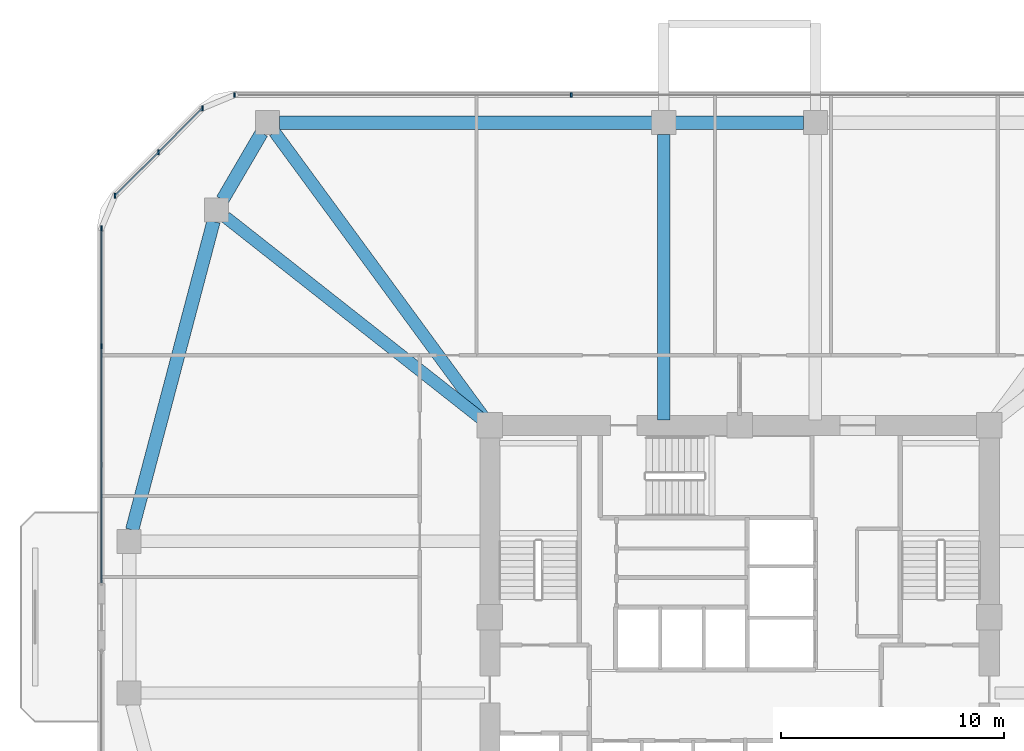
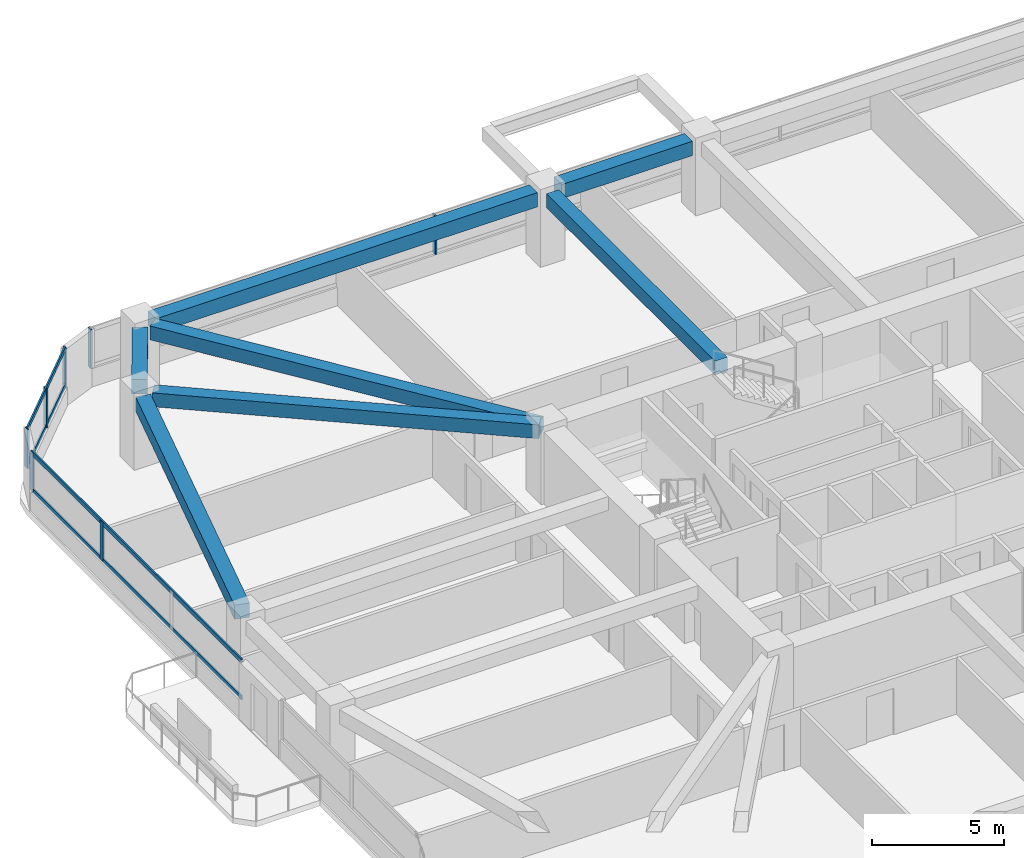
# One storey, part 6 of 15: 11 members, 7 beams, 3 elements without a shape of their own.
"""IFC4 building model written with IfcOpenShell, lengths in metres."""

from ifc_helpers import new_model, si_unit, derived_unit, direction, frame, origin, origin_2d, place, context, subcontext, project, spatial, rectangle, extrude, material, material_profile, profile_set, type_object, element, aggregate, save


model = new_model("IFC4")

# Units and contexts
model_context = context("Model", 3, precision=1e-05, world=origin(), true_north=direction((0.0, 1.0)))
body_context = subcontext(model_context, "Body", "Model", "MODEL_VIEW")
ifc_project = project(units=[si_unit("LENGTHUNIT", "METRE"), si_unit("AREAUNIT", "SQUARE_METRE"), si_unit("VOLUMEUNIT", "CUBIC_METRE"), si_unit("PLANEANGLEUNIT", "RADIAN"), si_unit("MASSUNIT", "GRAM", prefix="KILO"), derived_unit("THERMALTRANSMITTANCEUNIT", [(si_unit("POWERUNIT", "WATT"), 1), (si_unit("LENGTHUNIT", "METRE"), -2), (si_unit("THERMODYNAMICTEMPERATUREUNIT", "KELVIN"), -1)])], contexts=[model_context])

# Site, building, storey
site_placement = place(None, origin())
site = spatial("IfcSite", under=ifc_project, at=site_placement, CompositionType="ELEMENT")
building_placement = place(site_placement, origin())
building = spatial("IfcBuilding", under=site, at=building_placement, Name="Koralith Skygarden Medical Center", CompositionType="ELEMENT")
storey_placement = place(building_placement, frame((0.0, 0.0, 41.93994140625)))
storey = spatial("IfcBuildingStorey", under=building, at=storey_placement, Name="L10", CompositionType="ELEMENT", Elevation=41.93994140625)

# Curtain wall, members
ifc_material_1 = material(Name="Clear Laminated Glass", Category="glass")
curtain_wall_type = type_object("IfcCurtainWallType", Name="CW-2 Zone 1 Hurricane Unitised Curtain Wall", PredefinedType="NOTDEFINED", material=ifc_material_1)
curtain_wall_1_placement = place(storey_placement, origin())
curtain_wall_1 = element("IfcCurtainWall", 1, at=curtain_wall_1_placement, inside=storey, type_object=curtain_wall_type, Name="Curtain Wall CW-L10-N", PredefinedType="NOTDEFINED")
ifc_material_2 = material(Name="Aluminium 6063-T6", Category="aluminium")
ifc_material_profile_1 = material_profile(ifc_material_2, rectangle(XDim=0.071044921875, YDim=0.219970703125, at=origin_2d()), Name="MUL71X220")
ifc_profile_set_1 = profile_set([ifc_material_profile_1], Name="Aluminium 6063-T6")
member_type_1 = type_object("IfcMemberType", Name="CW-2 Extruded Mullion 71x220", PredefinedType="MULLION", material=ifc_profile_set_1)
member_1_placement = place(storey_placement, frame((29.451904296875, 49.320068359375, 0.85009765625), z_axis=(0.0, 0.0, 1.0), x_axis=(1.0, 0.0, 0.0)))
member_1 = element("IfcMember", 2, at=member_1_placement, type_object=member_type_1, Name="CW-L10-N Mullion 3", PredefinedType="MULLION", context=body_context, shape_type="SweptSolid", body=[
    extrude(rectangle(XDim=0.071044921875, YDim=0.219970703125, at=origin_2d()), origin(), (0.0, 0.0, 1.0), 1.800048828125),
])
member_2_placement = place(storey_placement, frame((14.35498046875, 49.320068359375, 0.85009765625), z_axis=(0.0, 0.0, 1.0), x_axis=(1.0, 0.0, 0.0)))
member_2 = element("IfcMember", 3, at=member_2_placement, type_object=member_type_1, Name="CW-L10-N Mullion 4", PredefinedType="MULLION", context=body_context, shape_type="SweptSolid", body=[
    extrude(rectangle(XDim=0.071044921875, YDim=0.219970703125, at=origin_2d()), origin(), (0.0, 0.0, 1.0), 1.800048828125),
])
aggregate(curtain_wall_1, [member_1, member_2])

curtain_wall_2_placement = place(storey_placement, origin())
curtain_wall_2 = element("IfcCurtainWall", 4, at=curtain_wall_2_placement, inside=storey, type_object=curtain_wall_type, Name="Curtain Wall CW-L10-NW", PredefinedType="NOTDEFINED")
member_3_placement = place(storey_placement, frame((12.904052734375, 48.718994140625, 0.85009765625), z_axis=(0.0, 0.0, 1.0), x_axis=(1.0, 0.0, 0.0)))
member_3 = element("IfcMember", 5, at=member_3_placement, type_object=member_type_1, Name="CW-L10-NW Mullion 1", PredefinedType="MULLION", context=body_context, shape_type="SweptSolid", body=[
    extrude(rectangle(XDim=0.071044921875, YDim=0.219970703125, at=origin_2d()), origin(), (0.0, 0.0, 1.0), 1.800048828125),
])
member_4_placement = place(storey_placement, frame((10.94189453125, 46.758056640625, 0.85009765625), z_axis=(0.0, 0.0, 1.0), x_axis=(1.0, 0.0, 0.0)))
member_4 = element("IfcMember", 6, at=member_4_placement, type_object=member_type_1, Name="CW-L10-NW Mullion 2", PredefinedType="MULLION", context=body_context, shape_type="SweptSolid", body=[
    extrude(rectangle(XDim=0.071044921875, YDim=0.219970703125, at=origin_2d()), origin(), (0.0, 0.0, 1.0), 1.800048828125),
])
member_5_placement = place(storey_placement, frame((8.98095703125, 44.7958984375, 0.85009765625), z_axis=(0.0, 0.0, 1.0), x_axis=(1.0, 0.0, 0.0)))
member_5 = element("IfcMember", 7, at=member_5_placement, type_object=member_type_1, Name="CW-L10-NW Mullion 3", PredefinedType="MULLION", context=body_context, shape_type="SweptSolid", body=[
    extrude(rectangle(XDim=0.071044921875, YDim=0.219970703125, at=origin_2d()), origin(), (0.0, 0.0, 1.0), 1.800048828125),
])

curtain_wall_3_placement = place(storey_placement, origin())
curtain_wall_3 = element("IfcCurtainWall", 8, at=curtain_wall_3_placement, inside=storey, type_object=curtain_wall_type, Name="Curtain Wall CW-L10-W-L", PredefinedType="NOTDEFINED")
member_6_placement = place(storey_placement, frame((8.3798828125, 43.344970703125, 0.85009765625), z_axis=(0.0, 0.0, 1.0), x_axis=(1.0, 0.0, 0.0)))
member_6 = element("IfcMember", 9, at=member_6_placement, type_object=member_type_1, Name="CW-L10-W-L Mullion 1", PredefinedType="MULLION", context=body_context, shape_type="SweptSolid", body=[
    extrude(rectangle(XDim=0.071044921875, YDim=0.219970703125, at=origin_2d()), origin(), (0.0, 0.0, 1.0), 1.800048828125),
])
member_7_placement = place(storey_placement, frame((8.3798828125, 38.04296875, 0.85009765625), z_axis=(0.0, 0.0, 1.0), x_axis=(1.0, 0.0, 0.0)))
member_7 = element("IfcMember", 10, at=member_7_placement, type_object=member_type_1, Name="CW-L10-W-L Mullion 2", PredefinedType="MULLION", context=body_context, shape_type="SweptSolid", body=[
    extrude(rectangle(XDim=0.071044921875, YDim=0.219970703125, at=origin_2d()), origin(), (0.0, 0.0, 1.0), 1.800048828125),
])

# Member
ifc_material_profile_2 = material_profile(ifc_material_2, rectangle(XDim=0.06591796875, YDim=0.197998046875, at=origin_2d()), Name="TRN66X198")
ifc_profile_set_2 = profile_set([ifc_material_profile_2], Name="Aluminium 6063-T6")
member_type_2 = type_object("IfcMemberType", Name="CW-2 Thermal Transom 66x198", PredefinedType="USERDEFINED", material=ifc_profile_set_2)
member_8_placement = place(storey_placement, frame((12.904052734375, 48.718994140625, 0.900146484375), z_axis=(-0.707106781187, -0.707106781187, 0.0), x_axis=(0.707106781187, -0.707106781187, 0.0)))
member_8 = element("IfcMember", 11, at=member_8_placement, type_object=member_type_2, Name="CW-L10-NW Transom 1", ObjectType="TRANSOM", PredefinedType="USERDEFINED", context=body_context, shape_type="SweptSolid", body=[
    extrude(rectangle(XDim=0.06591796875, YDim=0.197998046875, at=origin_2d()), origin(), (0.0, 0.0, 1.0), 5.548095703125),
])

member_9_placement = place(storey_placement, frame((12.904052734375, 48.718994140625, 2.60009765625), z_axis=(-0.707106781187, -0.707106781187, 0.0), x_axis=(0.707106781187, -0.707106781187, 0.0)))
member_9 = element("IfcMember", 12, at=member_9_placement, type_object=member_type_2, Name="CW-L10-NW Transom 2", ObjectType="TRANSOM", PredefinedType="USERDEFINED", context=body_context, shape_type="SweptSolid", body=[
    extrude(rectangle(XDim=0.06591796875, YDim=0.197998046875, at=origin_2d()), origin(), (0.0, 0.0, 1.0), 5.548095703125),
])

aggregate(curtain_wall_2, [member_3, member_4, member_5, member_8, member_9])

member_10_placement = place(storey_placement, frame((8.3798828125, 43.344970703125, 0.900146484375), z_axis=(0.0, -1.0, 0.0), x_axis=(1.0, 0.0, 0.0)))
member_10 = element("IfcMember", 13, at=member_10_placement, type_object=member_type_2, Name="CW-L10-W-L Transom 1", ObjectType="TRANSOM", PredefinedType="USERDEFINED", context=body_context, shape_type="SweptSolid", body=[
    extrude(rectangle(XDim=0.06591796875, YDim=0.197998046875, at=origin_2d()), origin(), (0.0, 0.0, 1.0), 15.905029296875),
])

member_11_placement = place(storey_placement, frame((8.3798828125, 43.344970703125, 2.60009765625), z_axis=(0.0, -1.0, 0.0), x_axis=(1.0, 0.0, 0.0)))
member_11 = element("IfcMember", 14, at=member_11_placement, type_object=member_type_2, Name="CW-L10-W-L Transom 2", ObjectType="TRANSOM", PredefinedType="USERDEFINED", context=body_context, shape_type="SweptSolid", body=[
    extrude(rectangle(XDim=0.06591796875, YDim=0.197998046875, at=origin_2d()), origin(), (0.0, 0.0, 1.0), 15.905029296875),
])

aggregate(curtain_wall_3, [member_6, member_7, member_10, member_11])

# Beams
ifc_material_3 = material(Name="Concrete C45/55", Category="concrete")
ifc_material_profile_3 = material_profile(ifc_material_3, rectangle(XDim=0.550048828125, YDim=0.639892578125, at=origin_2d()), Name="RCB550X640")
ifc_profile_set_3 = profile_set([ifc_material_profile_3], Name="Concrete C45/55")
beam_type_1 = type_object("IfcBeamType", Name="Radial Collector Beam RCB550X640", PredefinedType="BEAM", material=ifc_profile_set_3)
beam_1_placement = place(storey_placement, frame((33.60009765625, 34.75, 3.0), z_axis=(0.0, 1.0, 0.0), x_axis=(-1.0, 0.0, 0.0)))
element("IfcBeam", 15, at=beam_1_placement, inside=storey, type_object=beam_type_1, Name="L10 Radial Collector Beam RB-13", PredefinedType="BEAM", context=body_context, shape_type="SweptSolid", body=[
    extrude(rectangle(XDim=0.550048828125, YDim=0.639892578125, at=origin_2d()), origin(), (0.0, 0.0, 1.0), 12.800048828125),
])
beam_2_placement = place(storey_placement, frame((25.652099609375, 34.701904296875, 3.0), z_axis=(-0.591710803277, 0.806150311843, 0.0), x_axis=(-0.806150311843, -0.591710803277, 0.0)))
element("IfcBeam", 16, at=beam_2_placement, inside=storey, type_object=beam_type_1, Name="L10 Radial Collector Beam RB-14", PredefinedType="BEAM", context=body_context, shape_type="SweptSolid", body=[
    extrude(rectangle(XDim=0.550048828125, YDim=0.639892578125, at=origin_2d()), origin(), (0.0, 0.0, 1.0), 16.0654296875),
])
beam_3_placement = place(storey_placement, frame((25.60400390625, 34.655029296875, 3.0), z_axis=(-0.785497250365, 0.618865146594, 0.0), x_axis=(-0.618865146594, -0.785497250365, 0.0)))
element("IfcBeam", 17, at=beam_3_placement, inside=storey, type_object=beam_type_1, Name="L10 Radial Collector Beam RB-15", PredefinedType="BEAM", context=body_context, shape_type="SweptSolid", body=[
    extrude(rectangle(XDim=0.550048828125, YDim=0.639892578125, at=origin_2d()), origin(), (0.0, 0.0, 1.0), 14.828857421875),
])
ifc_material_profile_4 = material_profile(ifc_material_3, rectangle(XDim=0.60009765625, YDim=0.659912109375, at=origin_2d()), Name="RCB600X660")
ifc_profile_set_4 = profile_set([ifc_material_profile_4], Name="Concrete C45/55")
beam_type_2 = type_object("IfcBeamType", Name="Zone 1 Spandrel Beam RCB600X660", PredefinedType="SPANDREL", material=ifc_profile_set_4)
beam_4_placement = place(storey_placement, frame((39.8701171875, 48.080078125, 2.989990234375), z_axis=(-1.0, 0.0, 0.0), x_axis=(0.0, -1.0, 0.0)))
element("IfcBeam", 18, at=beam_4_placement, inside=storey, type_object=beam_type_2, Name="L10 Perimeter Spandrel Beam SP-12", PredefinedType="SPANDREL", context=body_context, shape_type="SweptSolid", body=[
    extrude(rectangle(XDim=0.60009765625, YDim=0.659912109375, at=origin_2d()), origin(), (0.0, 0.0, 1.0), 5.740234375),
])
beam_5_placement = place(storey_placement, frame((33.070068359375, 48.080078125, 2.989990234375), z_axis=(-1.0, 0.0, 0.0), x_axis=(0.0, -1.0, 0.0)))
element("IfcBeam", 19, at=beam_5_placement, inside=storey, type_object=beam_type_2, Name="L10 Perimeter Spandrel Beam SP-13", PredefinedType="SPANDREL", context=body_context, shape_type="SweptSolid", body=[
    extrude(rectangle(XDim=0.60009765625, YDim=0.659912109375, at=origin_2d()), origin(), (0.0, 0.0, 1.0), 16.7080078125),
])
beam_6_placement = place(storey_placement, frame((15.56396484375, 47.6220703125, 2.989990234375), z_axis=(-0.504608092658, -0.863348523381, 0.0), x_axis=(0.863348523381, -0.504608092658, 0.0)))
element("IfcBeam", 20, at=beam_6_placement, inside=storey, type_object=beam_type_2, Name="L10 Perimeter Spandrel Beam SP-14", PredefinedType="SPANDREL", context=body_context, shape_type="SweptSolid", body=[
    extrude(rectangle(XDim=0.60009765625, YDim=0.659912109375, at=origin_2d()), origin(), (0.0, 0.0, 1.0), 3.479736328125),
])
beam_7_placement = place(storey_placement, frame((13.405029296875, 43.64794921875, 2.989990234375), z_axis=(-0.255088684842, -0.966917660851, 0.0), x_axis=(0.966917660851, -0.255088684842, 0.0)))
element("IfcBeam", 21, at=beam_7_placement, inside=storey, type_object=beam_type_2, Name="L10 Perimeter Spandrel Beam SP-15", PredefinedType="SPANDREL", context=body_context, shape_type="SweptSolid", body=[
    extrude(rectangle(XDim=0.60009765625, YDim=0.659912109375, at=origin_2d()), origin(), (0.0, 0.0, 1.0), 14.309326171875),
])

save(model, "model.ifc")
